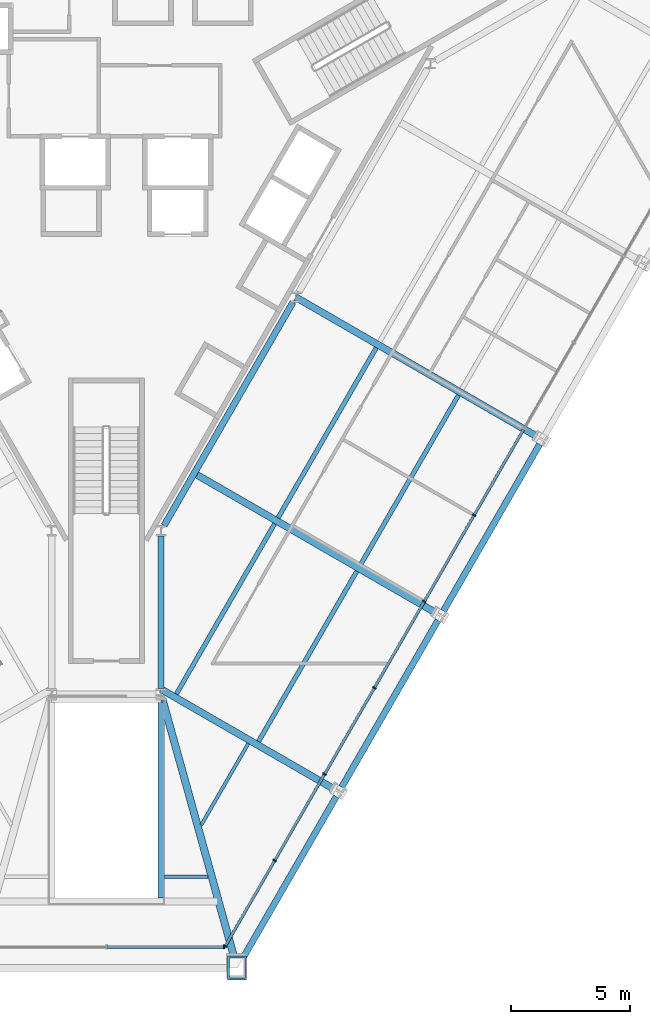
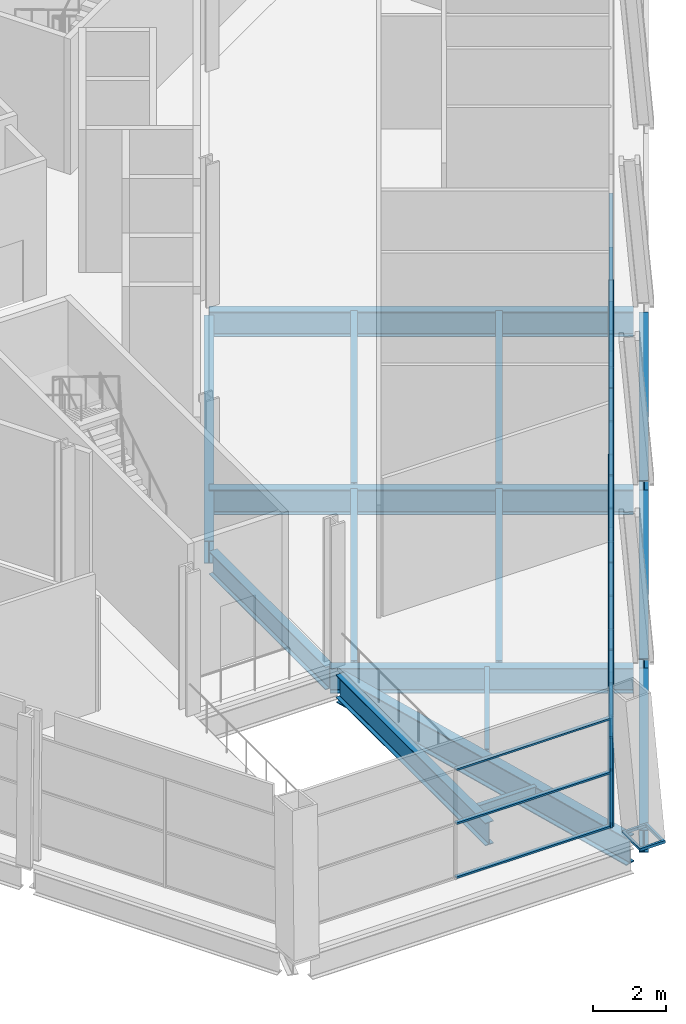
# One storey, part 4 of 18: 29 members, 16 beams, 2 elements without a shape of their own.
"""IFC4 building model written with IfcOpenShell, lengths in metres."""

from ifc_helpers import new_model, si_unit, direction, frame, origin, origin_2d, place, context, subcontext, project, spatial, rectangle, hollow_rectangle, i_section, extrude, material, layer, layer_set, material_profile, profile_set, type_object, element, aggregate, save


model = new_model("IFC4")

# Units and contexts
model_context = context("Model", 3, precision=1e-05, world=origin(), true_north=direction((0.0, 1.0)))
body_context = subcontext(model_context, "Body", "Model", "MODEL_VIEW")
ifc_project = project(units=[si_unit("LENGTHUNIT", "METRE"), si_unit("AREAUNIT", "SQUARE_METRE"), si_unit("VOLUMEUNIT", "CUBIC_METRE"), si_unit("PLANEANGLEUNIT", "RADIAN"), si_unit("MASSUNIT", "GRAM", prefix="KILO")], contexts=[model_context])

# Site, building, storey
site_placement = place(None, origin())
site = spatial("IfcSite", under=ifc_project, at=site_placement, CompositionType="ELEMENT")
building_placement = place(site_placement, origin())
building = spatial("IfcBuilding", under=site, at=building_placement, Name="Verrane Prism Tower", CompositionType="ELEMENT")
storey_placement = place(building_placement, frame((0.0, 0.0, 32.0)))
storey = spatial("IfcBuildingStorey", under=building, at=storey_placement, Name="L05", CompositionType="ELEMENT", Elevation=32.0)

# Curtain wall, member
ifc_material_1 = material(Name="Aluminium and glass curtain wall", Category="aluminium")
ifc_layer = layer(ifc_material_1, 0.199951171875)
ifc_layer_set = layer_set([ifc_layer], Name="CWB-1 retail curtain wall")
curtain_wall_type = type_object("IfcCurtainWallType", Name="CWB-1 retail curtain wall", PredefinedType="NOTDEFINED", material=ifc_layer_set)
curtain_wall_1_placement = place(storey_placement, origin())
curtain_wall_1 = element("IfcCurtainWall", 1, at=curtain_wall_1_placement, inside=storey, type_object=curtain_wall_type, Name="Retail curtain wall L05 5", PredefinedType="NOTDEFINED")
ifc_material_2 = material(Name="Aluminium", Category="aluminium")
ifc_material_profile_1 = material_profile(ifc_material_2, rectangle(XDim=0.159912109375, YDim=0.06005859375, at=origin_2d()), Name="CWB-M 60x160 mullion")
ifc_profile_set_1 = profile_set([ifc_material_profile_1], Name="Aluminium")
member_type_1 = type_object("IfcMemberType", Name="CWB-M 60x160 mullion", PredefinedType="MULLION", material=ifc_profile_set_1)
member_1_placement = place(storey_placement, frame((4.950439453125, -31.913818359375, 0.0), z_axis=(0.0, 0.0, 1.0), x_axis=(0.0, 1.0, 0.0)))
member_1 = element("IfcMember", 2, at=member_1_placement, type_object=member_type_1, Name="CWB55 mullion 3", PredefinedType="MULLION", context=body_context, shape_type="SweptSolid", body=[
    extrude(rectangle(XDim=0.159912109375, YDim=0.06005859375, at=origin_2d()), origin(), (0.0, 0.0, 1.0), 3.68994140625),
])

# Curtain wall, members
curtain_wall_2_placement = place(storey_placement, origin())
curtain_wall_2 = element("IfcCurtainWall", 3, at=curtain_wall_2_placement, inside=storey, type_object=curtain_wall_type, Name="Retail curtain wall L05 6", PredefinedType="NOTDEFINED")
member_2_placement = place(storey_placement, frame((4.995361328125, -31.8876953125, 0.0), z_axis=(0.0, 0.0, 1.0), x_axis=(-0.866025335097, 0.50000011897, 0.0)))
member_2 = element("IfcMember", 4, at=member_2_placement, type_object=member_type_1, Name="CWB56 mullion 1", PredefinedType="MULLION", context=body_context, shape_type="SweptSolid", body=[
    extrude(rectangle(XDim=0.159912109375, YDim=0.06005859375, at=origin_2d()), origin(), (0.0, 0.0, 1.0), 3.68994140625),
])
member_3_placement = place(storey_placement, frame((7.075927734375, -28.283935546875, 0.0), z_axis=(0.0, 0.0, 1.0), x_axis=(-0.866025335097, 0.50000011897, 0.0)))
member_3 = element("IfcMember", 5, at=member_3_placement, type_object=member_type_1, Name="CWB56 mullion 2", PredefinedType="MULLION", context=body_context, shape_type="SweptSolid", body=[
    extrude(rectangle(XDim=0.159912109375, YDim=0.06005859375, at=origin_2d()), origin(), (0.0, 0.0, 1.0), 3.68994140625),
])
member_4_placement = place(storey_placement, frame((9.171630859375, -24.654052734375, 0.0), z_axis=(0.0, 0.0, 1.0), x_axis=(-0.866025335097, 0.50000011897, 0.0)))
member_4 = element("IfcMember", 6, at=member_4_placement, type_object=member_type_1, Name="CWB56 mullion 3", PredefinedType="MULLION", context=body_context, shape_type="SweptSolid", body=[
    extrude(rectangle(XDim=0.159912109375, YDim=0.06005859375, at=origin_2d()), origin(), (0.0, 0.0, 1.0), 3.68994140625),
])
member_5_placement = place(storey_placement, frame((11.267333984375, -21.0244140625, 0.0), z_axis=(0.0, 0.0, 1.0), x_axis=(-0.866025335097, 0.50000011897, 0.0)))
member_5 = element("IfcMember", 7, at=member_5_placement, type_object=member_type_1, Name="CWB56 mullion 4", PredefinedType="MULLION", context=body_context, shape_type="SweptSolid", body=[
    extrude(rectangle(XDim=0.159912109375, YDim=0.06005859375, at=origin_2d()), origin(), (0.0, 0.0, 1.0), 3.68994140625),
])
member_6_placement = place(storey_placement, frame((13.363037109375, -17.39453125, 0.0), z_axis=(0.0, 0.0, 1.0), x_axis=(-0.866025335097, 0.50000011897, 0.0)))
member_6 = element("IfcMember", 8, at=member_6_placement, type_object=member_type_1, Name="CWB56 mullion 5", PredefinedType="MULLION", context=body_context, shape_type="SweptSolid", body=[
    extrude(rectangle(XDim=0.159912109375, YDim=0.06005859375, at=origin_2d()), origin(), (0.0, 0.0, 1.0), 3.68994140625),
])
member_7_placement = place(storey_placement, frame((15.458740234375, -13.764892578125, 0.0), z_axis=(0.0, 0.0, 1.0), x_axis=(-0.866025335097, 0.50000011897, 0.0)))
member_7 = element("IfcMember", 9, at=member_7_placement, type_object=member_type_1, Name="CWB56 mullion 6", PredefinedType="MULLION", context=body_context, shape_type="SweptSolid", body=[
    extrude(rectangle(XDim=0.159912109375, YDim=0.06005859375, at=origin_2d()), origin(), (0.0, 0.0, 1.0), 3.68994140625),
])

# Member
ifc_material_3 = material(Name="Aluminium", Category="aluminium")
ifc_material_profile_2 = material_profile(ifc_material_3, rectangle(XDim=0.1201171875, YDim=0.06005859375, at=origin_2d()), Name="CWB-T 60x120 transom")
ifc_profile_set_2 = profile_set([ifc_material_profile_2], Name="Aluminium")
member_type_2 = type_object("IfcMemberType", Name="CWB-T 60x120 transom", PredefinedType="USERDEFINED", material=ifc_profile_set_2)
member_8_placement = place(storey_placement, frame((0.030029296875, -31.913818359375, 0.030029296875), z_axis=(1.0, 0.0, 0.0), x_axis=(0.0, 1.0, 0.0)))
member_8 = element("IfcMember", 10, at=member_8_placement, type_object=member_type_2, Name="CWB55 transom 2.1", ObjectType="TRANSOM", PredefinedType="USERDEFINED", context=body_context, shape_type="SweptSolid", body=[
    extrude(rectangle(XDim=0.1201171875, YDim=0.06005859375, at=origin_2d()), origin(), (0.0, 0.0, 1.0), 4.890380859375),
])

member_9_placement = place(storey_placement, frame((0.030029296875, -31.913818359375, 1.844970703125), z_axis=(1.0, 0.0, 0.0), x_axis=(0.0, 1.0, 0.0)))
member_9 = element("IfcMember", 11, at=member_9_placement, type_object=member_type_2, Name="CWB55 transom 2.2", ObjectType="TRANSOM", PredefinedType="USERDEFINED", context=body_context, shape_type="SweptSolid", body=[
    extrude(rectangle(XDim=0.1201171875, YDim=0.06005859375, at=origin_2d()), origin(), (0.0, 0.0, 1.0), 4.890380859375),
])

member_10_placement = place(storey_placement, frame((0.030029296875, -31.913818359375, 3.659912109375), z_axis=(1.0, 0.0, 0.0), x_axis=(0.0, 1.0, 0.0)))
member_10 = element("IfcMember", 12, at=member_10_placement, type_object=member_type_2, Name="CWB55 transom 2.3", ObjectType="TRANSOM", PredefinedType="USERDEFINED", context=body_context, shape_type="SweptSolid", body=[
    extrude(rectangle(XDim=0.1201171875, YDim=0.06005859375, at=origin_2d()), origin(), (0.0, 0.0, 1.0), 4.890380859375),
])

aggregate(curtain_wall_1, [member_1, member_8, member_9, member_10])

member_11_placement = place(storey_placement, frame((5.010498046875, -31.86181640625, 0.030029296875), z_axis=(0.499961200281, 0.866047803654, 0.0), x_axis=(-0.866047803654, 0.499961200281, 0.0)))
member_11 = element("IfcMember", 13, at=member_11_placement, type_object=member_type_2, Name="CWB56 transom 1.1", ObjectType="TRANSOM", PredefinedType="USERDEFINED", context=body_context, shape_type="SweptSolid", body=[
    extrude(rectangle(XDim=0.1201171875, YDim=0.06005859375, at=origin_2d()), origin(), (0.0, 0.0, 1.0), 4.101318359375),
])

member_12_placement = place(storey_placement, frame((5.010498046875, -31.86181640625, 1.844970703125), z_axis=(0.499961200281, 0.866047803654, 0.0), x_axis=(-0.866047803654, 0.499961200281, 0.0)))
member_12 = element("IfcMember", 14, at=member_12_placement, type_object=member_type_2, Name="CWB56 transom 1.2", ObjectType="TRANSOM", PredefinedType="USERDEFINED", context=body_context, shape_type="SweptSolid", body=[
    extrude(rectangle(XDim=0.1201171875, YDim=0.06005859375, at=origin_2d()), origin(), (0.0, 0.0, 1.0), 4.101318359375),
])

member_13_placement = place(storey_placement, frame((5.010498046875, -31.86181640625, 3.659912109375), z_axis=(0.499961200281, 0.866047803654, 0.0), x_axis=(-0.866047803654, 0.499961200281, 0.0)))
member_13 = element("IfcMember", 15, at=member_13_placement, type_object=member_type_2, Name="CWB56 transom 1.3", ObjectType="TRANSOM", PredefinedType="USERDEFINED", context=body_context, shape_type="SweptSolid", body=[
    extrude(rectangle(XDim=0.1201171875, YDim=0.06005859375, at=origin_2d()), origin(), (0.0, 0.0, 1.0), 4.101318359375),
])

member_14_placement = place(storey_placement, frame((7.091064453125, -28.258056640625, 0.030029296875), z_axis=(0.499996977546, 0.866027148792, 0.0), x_axis=(-0.866027148792, 0.499996977546, 0.0)))
member_14 = element("IfcMember", 16, at=member_14_placement, type_object=member_type_2, Name="CWB56 transom 2.1", ObjectType="TRANSOM", PredefinedType="USERDEFINED", context=body_context, shape_type="SweptSolid", body=[
    extrude(rectangle(XDim=0.1201171875, YDim=0.06005859375, at=origin_2d()), origin(), (0.0, 0.0, 1.0), 4.13134765625),
])

member_15_placement = place(storey_placement, frame((7.091064453125, -28.258056640625, 1.844970703125), z_axis=(0.499996977546, 0.866027148792, 0.0), x_axis=(-0.866027148792, 0.499996977546, 0.0)))
member_15 = element("IfcMember", 17, at=member_15_placement, type_object=member_type_2, Name="CWB56 transom 2.2", ObjectType="TRANSOM", PredefinedType="USERDEFINED", context=body_context, shape_type="SweptSolid", body=[
    extrude(rectangle(XDim=0.1201171875, YDim=0.06005859375, at=origin_2d()), origin(), (0.0, 0.0, 1.0), 4.13134765625),
])

member_16_placement = place(storey_placement, frame((7.091064453125, -28.258056640625, 3.659912109375), z_axis=(0.499996977546, 0.866027148792, 0.0), x_axis=(-0.866027148792, 0.499996977546, 0.0)))
member_16 = element("IfcMember", 18, at=member_16_placement, type_object=member_type_2, Name="CWB56 transom 2.3", ObjectType="TRANSOM", PredefinedType="USERDEFINED", context=body_context, shape_type="SweptSolid", body=[
    extrude(rectangle(XDim=0.1201171875, YDim=0.06005859375, at=origin_2d()), origin(), (0.0, 0.0, 1.0), 4.13134765625),
])

member_17_placement = place(storey_placement, frame((9.186767578125, -24.628173828125, 0.030029296875), z_axis=(0.499996977546, 0.866027148792, 0.0), x_axis=(-0.866027148792, 0.499996977546, 0.0)))
member_17 = element("IfcMember", 19, at=member_17_placement, type_object=member_type_2, Name="CWB56 transom 3.1", ObjectType="TRANSOM", PredefinedType="USERDEFINED", context=body_context, shape_type="SweptSolid", body=[
    extrude(rectangle(XDim=0.1201171875, YDim=0.06005859375, at=origin_2d()), origin(), (0.0, 0.0, 1.0), 4.13134765625),
])

member_18_placement = place(storey_placement, frame((9.186767578125, -24.628173828125, 1.844970703125), z_axis=(0.499996977546, 0.866027148792, 0.0), x_axis=(-0.866027148792, 0.499996977546, 0.0)))
member_18 = element("IfcMember", 20, at=member_18_placement, type_object=member_type_2, Name="CWB56 transom 3.2", ObjectType="TRANSOM", PredefinedType="USERDEFINED", context=body_context, shape_type="SweptSolid", body=[
    extrude(rectangle(XDim=0.1201171875, YDim=0.06005859375, at=origin_2d()), origin(), (0.0, 0.0, 1.0), 4.13134765625),
])

member_19_placement = place(storey_placement, frame((9.186767578125, -24.628173828125, 3.659912109375), z_axis=(0.499996977546, 0.866027148792, 0.0), x_axis=(-0.866027148792, 0.499996977546, 0.0)))
member_19 = element("IfcMember", 21, at=member_19_placement, type_object=member_type_2, Name="CWB56 transom 3.3", ObjectType="TRANSOM", PredefinedType="USERDEFINED", context=body_context, shape_type="SweptSolid", body=[
    extrude(rectangle(XDim=0.1201171875, YDim=0.06005859375, at=origin_2d()), origin(), (0.0, 0.0, 1.0), 4.13134765625),
])

member_20_placement = place(storey_placement, frame((11.282470703125, -20.998291015625, 0.030029296875), z_axis=(0.499978243488, 0.866037964548, 0.0), x_axis=(-0.866037964548, 0.499978243488, 0.0)))
member_20 = element("IfcMember", 22, at=member_20_placement, type_object=member_type_2, Name="CWB56 transom 4.1", ObjectType="TRANSOM", PredefinedType="USERDEFINED", context=body_context, shape_type="SweptSolid", body=[
    extrude(rectangle(XDim=0.1201171875, YDim=0.06005859375, at=origin_2d()), origin(), (0.0, 0.0, 1.0), 4.131103515625),
])

member_21_placement = place(storey_placement, frame((11.282470703125, -20.998291015625, 1.844970703125), z_axis=(0.499978243488, 0.866037964548, 0.0), x_axis=(-0.866037964548, 0.499978243488, 0.0)))
member_21 = element("IfcMember", 23, at=member_21_placement, type_object=member_type_2, Name="CWB56 transom 4.2", ObjectType="TRANSOM", PredefinedType="USERDEFINED", context=body_context, shape_type="SweptSolid", body=[
    extrude(rectangle(XDim=0.1201171875, YDim=0.06005859375, at=origin_2d()), origin(), (0.0, 0.0, 1.0), 4.131103515625),
])

member_22_placement = place(storey_placement, frame((11.282470703125, -20.998291015625, 3.659912109375), z_axis=(0.499978243488, 0.866037964548, 0.0), x_axis=(-0.866037964548, 0.499978243488, 0.0)))
member_22 = element("IfcMember", 24, at=member_22_placement, type_object=member_type_2, Name="CWB56 transom 4.3", ObjectType="TRANSOM", PredefinedType="USERDEFINED", context=body_context, shape_type="SweptSolid", body=[
    extrude(rectangle(XDim=0.1201171875, YDim=0.06005859375, at=origin_2d()), origin(), (0.0, 0.0, 1.0), 4.131103515625),
])

member_23_placement = place(storey_placement, frame((13.3779296875, -17.36865234375, 0.030029296875), z_axis=(0.499996977546, 0.866027148792, 0.0), x_axis=(-0.866027148792, 0.499996977546, 0.0)))
member_23 = element("IfcMember", 25, at=member_23_placement, type_object=member_type_2, Name="CWB56 transom 5.1", ObjectType="TRANSOM", PredefinedType="USERDEFINED", context=body_context, shape_type="SweptSolid", body=[
    extrude(rectangle(XDim=0.1201171875, YDim=0.06005859375, at=origin_2d()), origin(), (0.0, 0.0, 1.0), 4.13134765625),
])

member_24_placement = place(storey_placement, frame((13.3779296875, -17.36865234375, 1.844970703125), z_axis=(0.499996977546, 0.866027148792, 0.0), x_axis=(-0.866027148792, 0.499996977546, 0.0)))
member_24 = element("IfcMember", 26, at=member_24_placement, type_object=member_type_2, Name="CWB56 transom 5.2", ObjectType="TRANSOM", PredefinedType="USERDEFINED", context=body_context, shape_type="SweptSolid", body=[
    extrude(rectangle(XDim=0.1201171875, YDim=0.06005859375, at=origin_2d()), origin(), (0.0, 0.0, 1.0), 4.13134765625),
])

member_25_placement = place(storey_placement, frame((13.3779296875, -17.36865234375, 3.659912109375), z_axis=(0.499996977546, 0.866027148792, 0.0), x_axis=(-0.866027148792, 0.499996977546, 0.0)))
member_25 = element("IfcMember", 27, at=member_25_placement, type_object=member_type_2, Name="CWB56 transom 5.3", ObjectType="TRANSOM", PredefinedType="USERDEFINED", context=body_context, shape_type="SweptSolid", body=[
    extrude(rectangle(XDim=0.1201171875, YDim=0.06005859375, at=origin_2d()), origin(), (0.0, 0.0, 1.0), 4.13134765625),
])

member_26_placement = place(storey_placement, frame((15.4736328125, -13.73876953125, 0.030029296875), z_axis=(0.499996977546, 0.866027148792, 0.0), x_axis=(-0.866027148792, 0.499996977546, 0.0)))
member_26 = element("IfcMember", 28, at=member_26_placement, type_object=member_type_2, Name="CWB56 transom 6.1", ObjectType="TRANSOM", PredefinedType="USERDEFINED", context=body_context, shape_type="SweptSolid", body=[
    extrude(rectangle(XDim=0.1201171875, YDim=0.06005859375, at=origin_2d()), origin(), (0.0, 0.0, 1.0), 4.13134765625),
])

member_27_placement = place(storey_placement, frame((15.4736328125, -13.73876953125, 1.844970703125), z_axis=(0.499996977546, 0.866027148792, 0.0), x_axis=(-0.866027148792, 0.499996977546, 0.0)))
member_27 = element("IfcMember", 29, at=member_27_placement, type_object=member_type_2, Name="CWB56 transom 6.2", ObjectType="TRANSOM", PredefinedType="USERDEFINED", context=body_context, shape_type="SweptSolid", body=[
    extrude(rectangle(XDim=0.1201171875, YDim=0.06005859375, at=origin_2d()), origin(), (0.0, 0.0, 1.0), 4.13134765625),
])

member_28_placement = place(storey_placement, frame((15.4736328125, -13.73876953125, 3.659912109375), z_axis=(0.499996977546, 0.866027148792, 0.0), x_axis=(-0.866027148792, 0.499996977546, 0.0)))
member_28 = element("IfcMember", 30, at=member_28_placement, type_object=member_type_2, Name="CWB56 transom 6.3", ObjectType="TRANSOM", PredefinedType="USERDEFINED", context=body_context, shape_type="SweptSolid", body=[
    extrude(rectangle(XDim=0.1201171875, YDim=0.06005859375, at=origin_2d()), origin(), (0.0, 0.0, 1.0), 4.13134765625),
])

aggregate(curtain_wall_2, [member_2, member_3, member_4, member_5, member_6, member_7, member_11, member_12, member_13, member_14, member_15, member_16, member_17, member_18, member_19, member_20, member_21, member_22, member_23, member_24, member_25, member_26, member_27, member_28])

# Beams
ifc_material_4 = material(Name="Steel A992", Category="steel")
ifc_material_profile_3 = material_profile(ifc_material_4, i_section(OverallWidth=0.2666015625, OverallDepth=0.76708984375, WebThickness=0.014892578125, FlangeThickness=0.023681640625, FilletRadius=0.0166015625, at=origin_2d()), Name="W30x124")
ifc_profile_set_3 = profile_set([ifc_material_profile_3], Name="Steel A992")
beam_type_1 = type_object("IfcBeamType", Name="Core ring girder W30x124", PredefinedType="BEAM", material=ifc_profile_set_3)
beam_1_placement = place(storey_placement, frame((2.300048828125, -21.0625, -0.633544921875), z_axis=(0.0, 1.0, 0.0), x_axis=(-1.0, 0.0, 0.0)))
element("IfcBeam", 31, at=beam_1_placement, inside=storey, type_object=beam_type_1, Name="Core ring girder L05", PredefinedType="BEAM", context=body_context, shape_type="SweptSolid", body=[
    extrude(i_section(OverallWidth=0.2666015625, OverallDepth=0.76708984375, WebThickness=0.014892578125, FlangeThickness=0.023681640625, FilletRadius=0.0166015625, at=origin_2d()), origin(), (0.0, 0.0, 1.0), 6.42529296875),
])
beam_2_placement = place(storey_placement, frame((2.42529296875, -14.202880859375, -0.633544921875), z_axis=(0.500022744667, 0.866012271747, 0.0), x_axis=(-0.866012271747, 0.500022744667, 0.0)))
element("IfcBeam", 32, at=beam_2_placement, inside=storey, type_object=beam_type_1, Name="Core ring girder L05", PredefinedType="BEAM", context=body_context, shape_type="SweptSolid", body=[
    extrude(i_section(OverallWidth=0.2666015625, OverallDepth=0.76708984375, WebThickness=0.014892578125, FlangeThickness=0.023681640625, FilletRadius=0.0166015625, at=origin_2d()), origin(), (0.0, 0.0, 1.0), 10.837890625),
])
ifc_material_5 = material(Name="Steel A992", Category="steel")
ifc_material_profile_4 = material_profile(ifc_material_5, i_section(OverallWidth=0.307373046875, OverallDepth=0.927001953125, WebThickness=0.01953125, FlangeThickness=0.031982421875, FilletRadius=0.01904296875, at=origin_2d()), Name="W36x194")
ifc_profile_set_4 = profile_set([ifc_material_profile_4], Name="Steel A992")
beam_type_2 = type_object("IfcBeamType", Name="Corner girder W36x194", PredefinedType="BEAM", material=ifc_profile_set_4)
beam_3_placement = place(storey_placement, frame((5.361083984375, -32.31005859375, -0.68359375), z_axis=(-0.267873594468, 0.963454066049, 0.0), x_axis=(-0.963454066049, -0.267873594468, 0.0)))
element("IfcBeam", 33, at=beam_3_placement, inside=storey, type_object=beam_type_2, Name="Corner girder L05", PredefinedType="BEAM", context=body_context, shape_type="SweptSolid", body=[
    extrude(i_section(OverallWidth=0.307373046875, OverallDepth=0.927001953125, WebThickness=0.01953125, FlangeThickness=0.031982421875, FilletRadius=0.01904296875, at=origin_2d()), origin(), (0.0, 0.0, 1.0), 11.18115234375),
])
ifc_material_6 = material(Name="Steel A992", Category="steel")
ifc_material_profile_5 = material_profile(ifc_material_6, i_section(OverallWidth=0.140380859375, OverallDepth=0.40380859375, WebThickness=0.007080078125, FlangeThickness=0.01123046875, FilletRadius=0.01025390625, at=origin_2d()), Name="W16x31")
ifc_profile_set_5 = profile_set([ifc_material_profile_5], Name="Steel A992")
beam_type_3 = type_object("IfcBeamType", Name="Floor beam W16x31", PredefinedType="BEAM", material=ifc_profile_set_5)
beam_4_placement = place(storey_placement, frame((3.9873046875, -26.795654296875, -0.36181640625), z_axis=(0.499978641112, 0.866037734993, 0.0), x_axis=(-0.866037734993, 0.499978641112, 0.0)))
element("IfcBeam", 34, at=beam_4_placement, inside=storey, type_object=beam_type_3, Name="Floor beam L05", PredefinedType="BEAM", context=body_context, shape_type="SweptSolid", body=[
    extrude(i_section(OverallWidth=0.140380859375, OverallDepth=0.40380859375, WebThickness=0.007080078125, FlangeThickness=0.01123046875, FilletRadius=0.01025390625, at=origin_2d()), origin(), (0.0, 0.0, 1.0), 3.959716796875),
])
beam_5_placement = place(storey_placement, frame((2.43359375, -28.973388671875, -0.36181640625), z_axis=(1.0, 0.0, 0.0), x_axis=(0.0, 1.0, 0.0)))
element("IfcBeam", 35, at=beam_5_placement, inside=storey, type_object=beam_type_3, Name="Floor beam L05", PredefinedType="BEAM", context=body_context, shape_type="SweptSolid", body=[
    extrude(i_section(OverallWidth=0.140380859375, OverallDepth=0.40380859375, WebThickness=0.007080078125, FlangeThickness=0.01123046875, FilletRadius=0.01025390625, at=origin_2d()), origin(), (0.0, 0.0, 1.0), 1.84033203125),
])
ifc_material_7 = material(Name="Steel A992", Category="steel")
ifc_material_profile_6 = material_profile(ifc_material_7, i_section(OverallWidth=0.1904296875, OverallDepth=0.457275390625, WebThickness=0.009033203125, FlangeThickness=0.014404296875, FilletRadius=0.01025390625, at=origin_2d()), Name="W18x50")
ifc_profile_set_6 = profile_set([ifc_material_profile_6], Name="Steel A992")
beam_type_4 = type_object("IfcBeamType", Name="Floor beam W18x50", PredefinedType="BEAM", material=ifc_profile_set_6)
beam_6_placement = place(storey_placement, frame((6.39892578125, -23.27880859375, -0.388671875), z_axis=(0.499996977546, 0.866027148792, 0.0), x_axis=(-0.866027148792, 0.499996977546, 0.0)))
element("IfcBeam", 36, at=beam_6_placement, inside=storey, type_object=beam_type_4, Name="Floor beam L05", PredefinedType="BEAM", context=body_context, shape_type="SweptSolid", body=[
    extrude(i_section(OverallWidth=0.1904296875, OverallDepth=0.457275390625, WebThickness=0.009033203125, FlangeThickness=0.014404296875, FilletRadius=0.01025390625, at=origin_2d()), origin(), (0.0, 0.0, 1.0), 8.2626953125),
])
beam_7_placement = place(storey_placement, frame((2.943603515625, -21.283203125, -0.388671875), z_axis=(0.500014123243, 0.866017249573, 0.0), x_axis=(-0.866017249573, 0.500014123243, 0.0)))
element("IfcBeam", 37, at=beam_7_placement, inside=storey, type_object=beam_type_4, Name="Floor beam L05", PredefinedType="BEAM", context=body_context, shape_type="SweptSolid", body=[
    extrude(i_section(OverallWidth=0.1904296875, OverallDepth=0.457275390625, WebThickness=0.009033203125, FlangeThickness=0.014404296875, FilletRadius=0.01025390625, at=origin_2d()), origin(), (0.0, 0.0, 1.0), 8.260009765625),
])
beam_8_placement = place(storey_placement, frame((10.67626953125, -15.8701171875, -0.388671875), z_axis=(0.500010949126, 0.866019082211, 0.0), x_axis=(-0.866019082211, 0.500010949126, 0.0)))
element("IfcBeam", 38, at=beam_8_placement, inside=storey, type_object=beam_type_4, Name="Floor beam L05", PredefinedType="BEAM", context=body_context, shape_type="SweptSolid", body=[
    extrude(i_section(OverallWidth=0.1904296875, OverallDepth=0.457275390625, WebThickness=0.009033203125, FlangeThickness=0.014404296875, FilletRadius=0.01025390625, at=origin_2d()), origin(), (0.0, 0.0, 1.0), 8.253173828125),
])
beam_9_placement = place(storey_placement, frame((7.2197265625, -13.876953125, -0.388671875), z_axis=(0.499987846292, 0.866032420617, 0.0), x_axis=(-0.866032420617, 0.499987846292, 0.0)))
element("IfcBeam", 39, at=beam_9_placement, inside=storey, type_object=beam_type_4, Name="Floor beam L05", PredefinedType="BEAM", context=body_context, shape_type="SweptSolid", body=[
    extrude(i_section(OverallWidth=0.1904296875, OverallDepth=0.457275390625, WebThickness=0.009033203125, FlangeThickness=0.014404296875, FilletRadius=0.01025390625, at=origin_2d()), origin(), (0.0, 0.0, 1.0), 8.255126953125),
])

# Member
ifc_material_8 = material(Name="Steel A572 Grade 50", Category="steel")
ifc_material_profile_7 = material_profile(ifc_material_8, hollow_rectangle(XDim=0.800048828125, YDim=1.0, WallThickness=0.074951171875, at=origin_2d()), Name="BOX 1000x800x75")
ifc_profile_set_7 = profile_set([ifc_material_profile_7], Name="Steel A572 Grade 50")
member_type_3 = type_object("IfcMemberType", Name="Kink node BOX 1000x800x75", PredefinedType="COLLAR", material=ifc_profile_set_7)
member_29_placement = place(storey_placement, frame((5.4990234375, -32.807861328125, -0.044921875), z_axis=(0.0, 0.0, 1.0), x_axis=(-1.0, 0.0, 0.0)))
element("IfcMember", 40, at=member_29_placement, inside=storey, type_object=member_type_3, Name="Kink node MC2 L05", PredefinedType="COLLAR", context=body_context, shape_type="SweptSolid", body=[
    extrude(hollow_rectangle(XDim=0.800048828125, YDim=1.0, WallThickness=0.074951171875, at=origin_2d()), origin(), (0.0, 0.0, 1.0), 0.08984375),
])

# Beams
ifc_material_9 = material(Name="Steel A992", Category="steel")
ifc_material_profile_8 = material_profile(ifc_material_9, i_section(OverallWidth=0.2919921875, OverallDepth=0.845703125, WebThickness=0.015380859375, FlangeThickness=0.0244140625, FilletRadius=0.017822265625, at=origin_2d()), Name="W33x141")
ifc_profile_set_8 = profile_set([ifc_material_profile_8], Name="Steel A992")
beam_type_5 = type_object("IfcBeamType", Name="Radial girder W33x141", PredefinedType="BEAM", material=ifc_profile_set_8)
beam_10_placement = place(storey_placement, frame((9.53369140625, -25.2578125, -0.642822265625), z_axis=(-0.866016684991, 0.500015101088, 0.0), x_axis=(-0.500015101088, -0.866016684991, 0.0)))
element("IfcBeam", 41, at=beam_10_placement, inside=storey, type_object=beam_type_5, Name="Radial girder L05", PredefinedType="BEAM", context=body_context, shape_type="SweptSolid", body=[
    extrude(i_section(OverallWidth=0.2919921875, OverallDepth=0.845703125, WebThickness=0.015380859375, FlangeThickness=0.0244140625, FilletRadius=0.017822265625, at=origin_2d()), origin(), (0.0, 0.0, 1.0), 8.352783203125),
])
beam_11_placement = place(storey_placement, frame((13.813720703125, -17.847900390625, -0.642822265625), z_axis=(-0.866026929639, 0.499997357134, 0.0), x_axis=(-0.499997357134, -0.866026929639, 0.0)))
element("IfcBeam", 42, at=beam_11_placement, inside=storey, type_object=beam_type_5, Name="Radial girder L05", PredefinedType="BEAM", context=body_context, shape_type="SweptSolid", body=[
    extrude(i_section(OverallWidth=0.2919921875, OverallDepth=0.845703125, WebThickness=0.015380859375, FlangeThickness=0.0244140625, FilletRadius=0.017822265625, at=origin_2d()), origin(), (0.0, 0.0, 1.0), 11.68505859375),
])
beam_12_placement = place(storey_placement, frame((18.08349609375, -10.44775390625, -0.642822265625), z_axis=(-0.866019930389, 0.500009480079, 0.0), x_axis=(-0.500009480079, -0.866019930389, 0.0)))
element("IfcBeam", 43, at=beam_12_placement, inside=storey, type_object=beam_type_5, Name="Radial girder L05", PredefinedType="BEAM", context=body_context, shape_type="SweptSolid", body=[
    extrude(i_section(OverallWidth=0.2919921875, OverallDepth=0.845703125, WebThickness=0.015380859375, FlangeThickness=0.0244140625, FilletRadius=0.017822265625, at=origin_2d()), origin(), (0.0, 0.0, 1.0), 11.682373046875),
])
ifc_material_10 = material(Name="Steel A992", Category="steel")
ifc_material_profile_9 = material_profile(ifc_material_10, i_section(OverallWidth=0.2666015625, OverallDepth=0.76708984375, WebThickness=0.014892578125, FlangeThickness=0.023681640625, FilletRadius=0.0166015625, at=origin_2d()), Name="W30x124")
ifc_profile_set_9 = profile_set([ifc_material_profile_9], Name="Steel A992")
beam_type_6 = type_object("IfcBeamType", Name="Slab edge girder W30x124", PredefinedType="BEAM", material=ifc_profile_set_9)
beam_13_placement = place(storey_placement, frame((2.300048828125, -29.860107421875, -0.54345703125), z_axis=(0.0, 1.0, 0.0), x_axis=(-1.0, 0.0, 0.0)))
element("IfcBeam", 44, at=beam_13_placement, inside=storey, type_object=beam_type_6, Name="Slab edge girder L05", PredefinedType="BEAM", context=body_context, shape_type="SweptSolid", body=[
    extrude(i_section(OverallWidth=0.2666015625, OverallDepth=0.76708984375, WebThickness=0.014892578125, FlangeThickness=0.023681640625, FilletRadius=0.0166015625, at=origin_2d()), origin(), (0.0, 0.0, 1.0), 8.230224609375),
])
ifc_material_11 = material(Name="Steel A992", Category="steel")
ifc_material_profile_10 = material_profile(ifc_material_11, i_section(OverallWidth=0.2666015625, OverallDepth=0.76708984375, WebThickness=0.014892578125, FlangeThickness=0.023681640625, FilletRadius=0.0166015625, at=origin_2d()), Name="W30x124")
ifc_profile_set_10 = profile_set([ifc_material_profile_10], Name="Steel A992")
beam_type_7 = type_object("IfcBeamType", Name="Spandrel beam W30x124", PredefinedType="SPANDREL", material=ifc_profile_set_10)
beam_14_placement = place(storey_placement, frame((5.788818359375, -32.31005859375, -0.54345703125), z_axis=(0.500155868966, 0.865935394091, 0.0), x_axis=(-0.865935394091, 0.500155868966, 0.0)))
element("IfcBeam", 45, at=beam_14_placement, inside=storey, type_object=beam_type_7, Name="Spandrel beam L05", PredefinedType="SPANDREL", context=body_context, shape_type="SweptSolid", body=[
    extrude(i_section(OverallWidth=0.2666015625, OverallDepth=0.76708984375, WebThickness=0.014892578125, FlangeThickness=0.023681640625, FilletRadius=0.0166015625, at=origin_2d()), origin(), (0.0, 0.0, 1.0), 7.75244140625),
])
beam_15_placement = place(storey_placement, frame((9.893798828125, -25.203125, -0.54345703125), z_axis=(0.500160624136, 0.865932647533, 0.0), x_axis=(-0.865932647533, 0.500160624136, 0.0)))
element("IfcBeam", 46, at=beam_15_placement, inside=storey, type_object=beam_type_7, Name="Spandrel beam L05", PredefinedType="SPANDREL", context=body_context, shape_type="SweptSolid", body=[
    extrude(i_section(OverallWidth=0.2666015625, OverallDepth=0.76708984375, WebThickness=0.014892578125, FlangeThickness=0.023681640625, FilletRadius=0.0166015625, at=origin_2d()), origin(), (0.0, 0.0, 1.0), 8.102294921875),
])
beam_16_placement = place(storey_placement, frame((14.173583984375, -17.793212890625, -0.54345703125), z_axis=(0.499778193066, 0.86615342621, 0.0), x_axis=(-0.86615342621, 0.499778193066, 0.0)))
element("IfcBeam", 47, at=beam_16_placement, inside=storey, type_object=beam_type_7, Name="Spandrel beam L05", PredefinedType="SPANDREL", context=body_context, shape_type="SweptSolid", body=[
    extrude(i_section(OverallWidth=0.2666015625, OverallDepth=0.76708984375, WebThickness=0.014892578125, FlangeThickness=0.023681640625, FilletRadius=0.0166015625, at=origin_2d()), origin(), (0.0, 0.0, 1.0), 8.089111328125),
])

save(model, "model.ifc")
